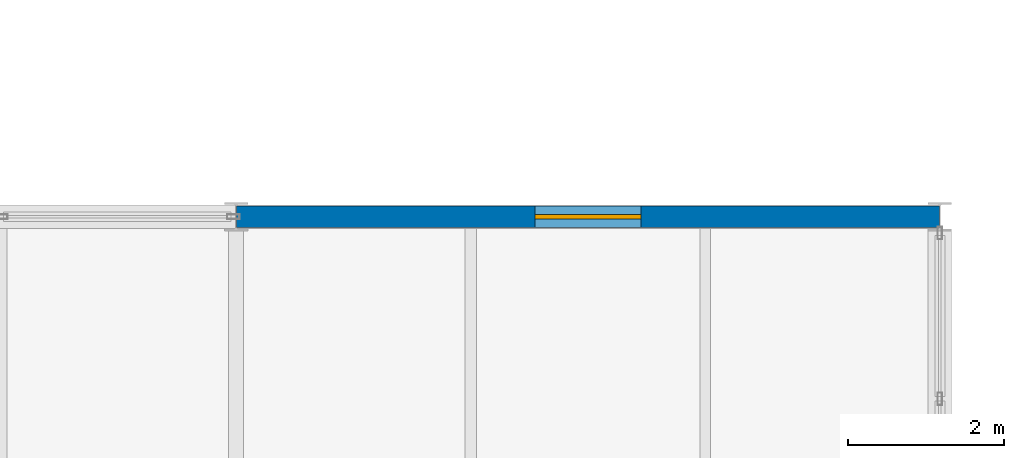
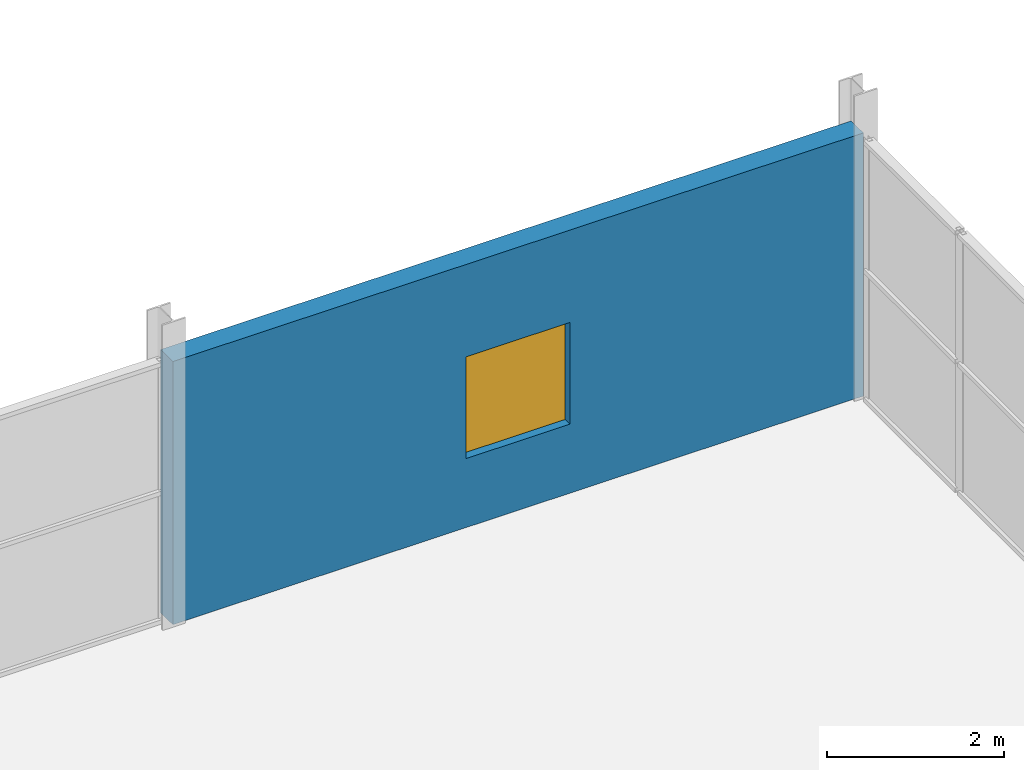
# One storey, part 118 of 135: 1 wall, 1 window, 1 opening.
"""IFC4 building model written with IfcOpenShell, lengths in metres."""

from ifc_helpers import new_model, si_unit, direction, frame, frame_2d, origin, place, context, subcontext, project, spatial, rectangle, extrude, material, layer, layer_set, type_object, element, fill, save


model = new_model("IFC4")

# Units and contexts
model_context = context("Model", 3, precision=1e-05, world=origin(), true_north=direction((0.0, 1.0)))
body_context = subcontext(model_context, "Body", "Model", "MODEL_VIEW")
ifc_project = project(units=[si_unit("LENGTHUNIT", "METRE"), si_unit("AREAUNIT", "SQUARE_METRE"), si_unit("VOLUMEUNIT", "CUBIC_METRE"), si_unit("PLANEANGLEUNIT", "RADIAN"), si_unit("MASSUNIT", "GRAM", prefix="KILO")], contexts=[model_context])

# Site, building, storey
site_placement = place(None, origin())
site = spatial("IfcSite", under=ifc_project, at=site_placement, CompositionType="ELEMENT")
building_placement = place(site_placement, origin())
building = spatial("IfcBuilding", under=site, at=building_placement, Name="Deido Ridge Mobility Hub", CompositionType="ELEMENT")
storey_placement = place(building_placement, frame((0.0, 0.0, 4.199951171875)))
storey = spatial("IfcBuildingStorey", under=building, at=storey_placement, Name="L01", CompositionType="ELEMENT", Elevation=4.199951171875)

# Wall, opening, window
ifc_material_1 = material(Name="Fired clay brick masonry", Category="masonry")
ifc_layer = layer(ifc_material_1, 0.27490234375, Name="Fired clay brick masonry")
ifc_layer_set = layer_set([ifc_layer], Name="Fired clay brick masonry")
wall_type = type_object("IfcWallType", Name="WL-PLG-BRK-275", PredefinedType="POLYGONAL", material=ifc_layer_set)
wall_placement = place(storey_placement, frame((171.006103515625, 72.0, 0.0), z_axis=(0.0, 0.0, 1.0), x_axis=(1.0, 0.0, 0.0)))
wall = element("IfcWall", 1, at=wall_placement, inside=storey, type_object=wall_type, Name="Exterior wall PGW1", PredefinedType="POLYGONAL", context=body_context, shape_type="SweptSolid", body=[
    extrude(rectangle(XDim=8.98779296875, YDim=0.27490234375, at=frame_2d((4.493896484375, 0.0))), origin(), (0.0, 0.0, 1.0), 3.6201171875),
])
opening_placement = place(wall_placement, frame((3.81884765625, 0.0, 0.949951171875)))
opening = element("IfcOpeningElement", 2, at=opening_placement, cuts=wall, Name="Opening W4", PredefinedType="OPENING", context=body_context, shape_type="SweptSolid", body=[
    extrude(rectangle(XDim=1.35009765625, YDim=1.39990234375, at=frame_2d((0.675048828125, 0.699951171875))), frame((0.0, 0.1474609375, 0.0), z_axis=(0.0, -1.0, 0.0), x_axis=(1.0, 0.0, 0.0)), (0.0, 0.0, 1.0), 0.294921875),
])
ifc_material_2 = material(Name="Laminated solar-control low-E glass", Category="glass")
window_type = type_object("IfcWindowType", Name="WN-ALU-1350X1400", PartitioningType="SINGLE_PANEL", PredefinedType="WINDOW", material=ifc_material_2)
window_placement = place(opening_placement, origin())
window = element("IfcWindow", 3, at=window_placement, inside=storey, type_object=window_type, Name="Exterior window W4", OverallHeight=1.39990234375, OverallWidth=1.35009765625, PartitioningType="SINGLE_PANEL", PredefinedType="WINDOW", context=body_context, shape_type="SweptSolid", body=[
    extrude(rectangle(XDim=1.35009765625, YDim=1.39990234375, at=frame_2d((0.675048828125, 0.699951171875))), frame((0.0, 0.030029296875, 0.0), z_axis=(0.0, -1.0, 0.0), x_axis=(1.0, 0.0, 0.0)), (0.0, 0.0, 1.0), 0.06005859375),
])
fill(opening, window)

save(model, "model.ifc")
